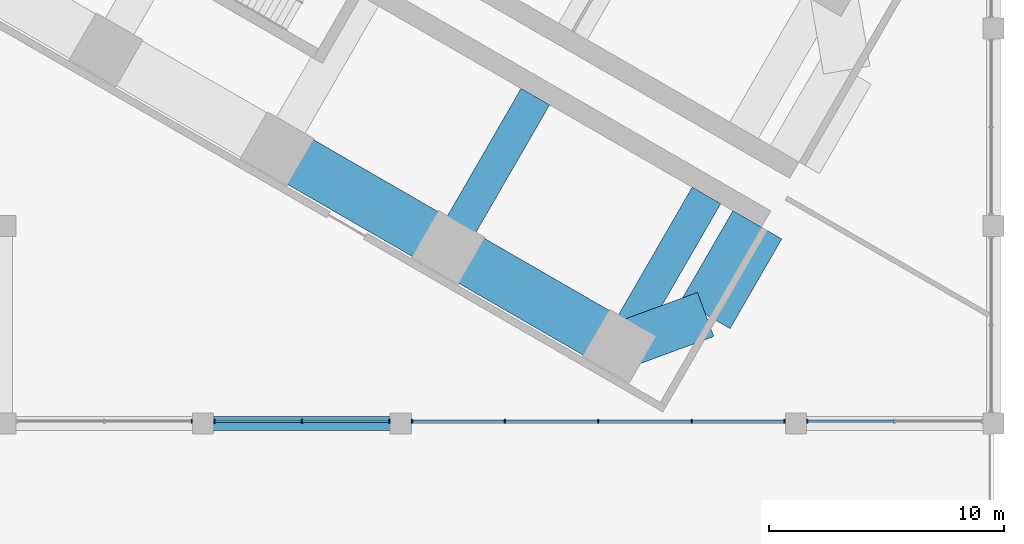
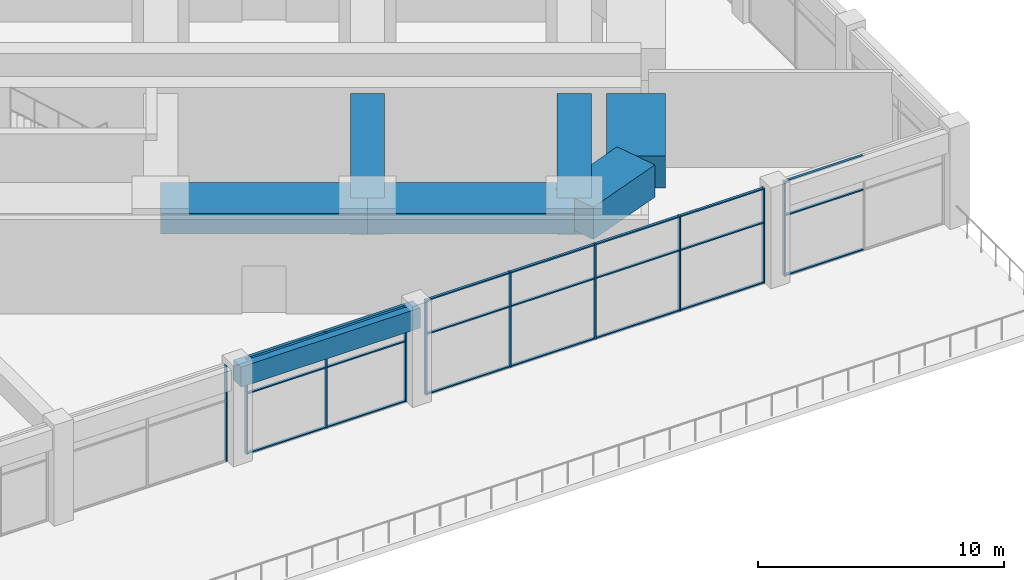
# One storey, part 11 of 36: 31 members, 7 beams, 4 elements without a shape of their own.
"""IFC4 building model written with IfcOpenShell, lengths in metres."""

from ifc_helpers import new_model, si_unit, direction, frame, origin, origin_2d, place, context, subcontext, project, spatial, rectangle, extrude, material, material_profile, profile_set, type_object, element, aggregate, save


model = new_model("IFC4")

# Units and contexts
model_context = context("Model", 3, precision=1e-05, world=origin(), true_north=direction((0.0, 1.0)))
body_context = subcontext(model_context, "Body", "Model", "MODEL_VIEW")
ifc_project = project(units=[si_unit("LENGTHUNIT", "METRE"), si_unit("AREAUNIT", "SQUARE_METRE"), si_unit("VOLUMEUNIT", "CUBIC_METRE"), si_unit("PLANEANGLEUNIT", "RADIAN"), si_unit("MASSUNIT", "GRAM", prefix="KILO")], contexts=[model_context])

# Site, building, storey
site_placement = place(None, origin())
site = spatial("IfcSite", under=ifc_project, at=site_placement, CompositionType="ELEMENT")
building_placement = place(site_placement, origin())
building = spatial("IfcBuilding", under=site, at=building_placement, Name="Impinga Residences", CompositionType="ELEMENT")
storey_placement = place(building_placement, frame((0.0, 0.0, 6.0)))
storey = spatial("IfcBuildingStorey", under=building, at=storey_placement, Name="L01", CompositionType="ELEMENT", Elevation=6.0)

# Beams
ifc_material_1 = material(Name="Concrete C60/75", Category="concrete")
ifc_material_profile_1 = material_profile(ifc_material_1, rectangle(XDim=2.0, YDim=1.60009765625, at=origin_2d()), Name="RC 2000x1600")
ifc_profile_set_1 = profile_set([ifc_material_profile_1], Name="Concrete C60/75")
beam_type_1 = type_object("IfcBeamType", Name="CB2 2000x1600 wing end cantilever beam", PredefinedType="BEAM", material=ifc_profile_set_1)
beam_1_placement = place(storey_placement, frame((34.49853515625, -30.31005859375, 3.89990234375), z_axis=(0.938520178725, 0.345224382289, 0.0), x_axis=(-0.345224382289, 0.938520178725, 0.0)))
element("IfcBeam", 1, at=beam_1_placement, inside=storey, type_object=beam_type_1, Name="Beam CB2 EE E5-EX level L02", PredefinedType="BEAM", context=body_context, shape_type="SweptSolid", body=[
    extrude(rectangle(XDim=2.0, YDim=1.60009765625, at=origin_2d()), origin(), (0.0, 0.0, 1.0), 3.905029296875),
])
ifc_material_profile_2 = material_profile(ifc_material_1, rectangle(XDim=1.39990234375, YDim=1.800048828125, at=origin_2d()), Name="RC 1400x1800")
ifc_profile_set_2 = profile_set([ifc_material_profile_2], Name="Concrete C60/75")
beam_type_2 = type_object("IfcBeamType", Name="CG4 1400x1800 cross girder on a wing bay line under the podium floors", PredefinedType="BEAM", material=ifc_profile_set_2)
for number, where, z_axis, x_axis, name in (
    (2, (30.923828125, -19.701416015625, 3.800048828125), (-0.499988999718, -0.866031754707, 0.0), (0.866031754707, -0.499988999718, 0.0), "Beam CG4 E4 EC/EF level L02"),
    (3, (38.198486328125, -23.9013671875, 3.800048828125), (-0.499988999718, -0.866031754707, 0.0), (0.866031754707, -0.499988999718, 0.0), "Beam CG4 E5 EC/EF level L02"),
):
    element("IfcBeam", number, at=place(storey_placement, frame(where, z_axis=z_axis, x_axis=x_axis)), inside=storey, type_object=beam_type_2, Name=name, PredefinedType="BEAM", context=body_context, shape_type="SweptSolid", body=[
        extrude(rectangle(XDim=1.39990234375, YDim=1.800048828125, at=origin_2d()), origin(), (0.0, 0.0, 1.0), 7.400146484375),
    ])

# Curtain wall, member
ifc_material_2 = material(Name="Aluminium stick curtain wall", Category="aluminium")
curtain_wall_type = type_object("IfcCurtainWallType", Name="CW1 podium amenity curtain wall", PredefinedType="USERDEFINED", material=ifc_material_2)
curtain_wall_1_placement = place(storey_placement, origin())
curtain_wall_1 = element("IfcCurtainWall", 4, at=curtain_wall_1_placement, inside=storey, type_object=curtain_wall_type, Name="Curtain wall CW1 L01", ObjectType="STICK CURTAIN WALL", PredefinedType="USERDEFINED")
ifc_material_3 = material(Name="Aluminium mullion", Category="aluminium")
ifc_material_profile_3 = material_profile(ifc_material_3, rectangle(XDim=0.06005859375, YDim=0.179931640625, at=origin_2d()), Name="60x180 mullion")
ifc_profile_set_3 = profile_set([ifc_material_profile_3], Name="Aluminium mullion")
member_type_1 = type_object("IfcMemberType", Name="CW1-M mullion 60x180", PredefinedType="MULLION", material=ifc_profile_set_3)
member_1_placement = place(storey_placement, frame((42.48291015625, -33.5, 0.0), z_axis=(0.0, 0.0, 1.0), x_axis=(-1.0, 0.0, 0.0)))
member_1 = element("IfcMember", 5, at=member_1_placement, type_object=member_type_1, Name="CW1 mullion 3", PredefinedType="MULLION", context=body_context, shape_type="SweptSolid", body=[
    extrude(rectangle(XDim=0.06005859375, YDim=0.179931640625, at=origin_2d()), origin(), (0.0, 0.0, 1.0), 4.699951171875),
])

# Curtain wall, members
curtain_wall_2_placement = place(storey_placement, origin())
curtain_wall_2 = element("IfcCurtainWall", 6, at=curtain_wall_2_placement, inside=storey, type_object=curtain_wall_type, Name="Curtain wall CW1 L01", ObjectType="STICK CURTAIN WALL", PredefinedType="USERDEFINED")
member_2_placement = place(storey_placement, frame((41.51708984375, -33.5, 0.0), z_axis=(0.0, 0.0, 1.0), x_axis=(-1.0, 0.0, 0.0)))
member_2 = element("IfcMember", 7, at=member_2_placement, type_object=member_type_1, Name="CW1 mullion 1", PredefinedType="MULLION", context=body_context, shape_type="SweptSolid", body=[
    extrude(rectangle(XDim=0.06005859375, YDim=0.179931640625, at=origin_2d()), origin(), (0.0, 0.0, 1.0), 4.699951171875),
])
member_3_placement = place(storey_placement, frame((37.573486328125, -33.5, 0.0), z_axis=(0.0, 0.0, 1.0), x_axis=(-1.0, 0.0, 0.0)))
member_3 = element("IfcMember", 8, at=member_3_placement, type_object=member_type_1, Name="CW1 mullion 2", PredefinedType="MULLION", context=body_context, shape_type="SweptSolid", body=[
    extrude(rectangle(XDim=0.06005859375, YDim=0.179931640625, at=origin_2d()), origin(), (0.0, 0.0, 1.0), 4.699951171875),
])
member_4_placement = place(storey_placement, frame((33.60009765625, -33.5, 0.0), z_axis=(0.0, 0.0, 1.0), x_axis=(-1.0, 0.0, 0.0)))
member_4 = element("IfcMember", 9, at=member_4_placement, type_object=member_type_1, Name="CW1 mullion 3", PredefinedType="MULLION", context=body_context, shape_type="SweptSolid", body=[
    extrude(rectangle(XDim=0.06005859375, YDim=0.179931640625, at=origin_2d()), origin(), (0.0, 0.0, 1.0), 4.699951171875),
])
member_5_placement = place(storey_placement, frame((29.62646484375, -33.5, 0.0), z_axis=(0.0, 0.0, 1.0), x_axis=(-1.0, 0.0, 0.0)))
member_5 = element("IfcMember", 10, at=member_5_placement, type_object=member_type_1, Name="CW1 mullion 4", PredefinedType="MULLION", context=body_context, shape_type="SweptSolid", body=[
    extrude(rectangle(XDim=0.06005859375, YDim=0.179931640625, at=origin_2d()), origin(), (0.0, 0.0, 1.0), 4.699951171875),
])
member_6_placement = place(storey_placement, frame((25.68310546875, -33.5, 0.0), z_axis=(0.0, 0.0, 1.0), x_axis=(-1.0, 0.0, 0.0)))
member_6 = element("IfcMember", 11, at=member_6_placement, type_object=member_type_1, Name="CW1 mullion 5", PredefinedType="MULLION", context=body_context, shape_type="SweptSolid", body=[
    extrude(rectangle(XDim=0.06005859375, YDim=0.179931640625, at=origin_2d()), origin(), (0.0, 0.0, 1.0), 4.699951171875),
])

curtain_wall_3_placement = place(storey_placement, origin())
curtain_wall_3 = element("IfcCurtainWall", 12, at=curtain_wall_3_placement, inside=storey, type_object=curtain_wall_type, Name="Curtain wall CW1 L01", ObjectType="STICK CURTAIN WALL", PredefinedType="USERDEFINED")
member_7_placement = place(storey_placement, frame((24.717041015625, -33.5, 0.0), z_axis=(0.0, 0.0, 1.0), x_axis=(-1.0, 0.0, 0.0)))
member_7 = element("IfcMember", 13, at=member_7_placement, type_object=member_type_1, Name="CW1 mullion 1", PredefinedType="MULLION", context=body_context, shape_type="SweptSolid", body=[
    extrude(rectangle(XDim=0.06005859375, YDim=0.179931640625, at=origin_2d()), origin(), (0.0, 0.0, 1.0), 4.699951171875),
])
member_8_placement = place(storey_placement, frame((21.0, -33.5, 0.0), z_axis=(0.0, 0.0, 1.0), x_axis=(-1.0, 0.0, 0.0)))
member_8 = element("IfcMember", 14, at=member_8_placement, type_object=member_type_1, Name="CW1 mullion 2", PredefinedType="MULLION", context=body_context, shape_type="SweptSolid", body=[
    extrude(rectangle(XDim=0.06005859375, YDim=0.179931640625, at=origin_2d()), origin(), (0.0, 0.0, 1.0), 4.699951171875),
])
member_9_placement = place(storey_placement, frame((17.282958984375, -33.5, 0.0), z_axis=(0.0, 0.0, 1.0), x_axis=(-1.0, 0.0, 0.0)))
member_9 = element("IfcMember", 15, at=member_9_placement, type_object=member_type_1, Name="CW1 mullion 3", PredefinedType="MULLION", context=body_context, shape_type="SweptSolid", body=[
    extrude(rectangle(XDim=0.06005859375, YDim=0.179931640625, at=origin_2d()), origin(), (0.0, 0.0, 1.0), 4.699951171875),
])

# Curtain wall, member
curtain_wall_4_placement = place(storey_placement, origin())
curtain_wall_4 = element("IfcCurtainWall", 16, at=curtain_wall_4_placement, inside=storey, type_object=curtain_wall_type, Name="Curtain wall CW1 L01", ObjectType="STICK CURTAIN WALL", PredefinedType="USERDEFINED")
member_10_placement = place(storey_placement, frame((16.31689453125, -33.5, 0.0), z_axis=(0.0, 0.0, 1.0), x_axis=(-1.0, 0.0, 0.0)))
member_10 = element("IfcMember", 17, at=member_10_placement, type_object=member_type_1, Name="CW1 mullion 1", PredefinedType="MULLION", context=body_context, shape_type="SweptSolid", body=[
    extrude(rectangle(XDim=0.06005859375, YDim=0.179931640625, at=origin_2d()), origin(), (0.0, 0.0, 1.0), 4.699951171875),
])
aggregate(curtain_wall_4, [member_10])

# Member
ifc_material_4 = material(Name="Aluminium transom", Category="aluminium")
ifc_material_profile_4 = material_profile(ifc_material_4, rectangle(XDim=0.06005859375, YDim=0.1201171875, at=origin_2d()), Name="60x120 transom")
ifc_profile_set_4 = profile_set([ifc_material_profile_4], Name="Aluminium transom")
member_type_2 = type_object("IfcMemberType", Name="CW1-T transom 60x120", PredefinedType="USERDEFINED", material=ifc_profile_set_4)
member_11_placement = place(storey_placement, frame((46.169921875, -33.5, 0.030029296875), z_axis=(-1.0, 0.0, 0.0), x_axis=(0.0, 0.0, 1.0)))
member_11 = element("IfcMember", 18, at=member_11_placement, type_object=member_type_2, Name="CW1 transom 2.1", ObjectType="TRANSOM", PredefinedType="USERDEFINED", context=body_context, shape_type="SweptSolid", body=[
    extrude(rectangle(XDim=0.06005859375, YDim=0.1201171875, at=origin_2d()), origin(), (0.0, 0.0, 1.0), 3.656982421875),
])

member_12_placement = place(storey_placement, frame((46.169921875, -33.5, 3.0), z_axis=(-1.0, 0.0, 0.0), x_axis=(0.0, 0.0, 1.0)))
member_12 = element("IfcMember", 19, at=member_12_placement, type_object=member_type_2, Name="CW1 transom 2.2", ObjectType="TRANSOM", PredefinedType="USERDEFINED", context=body_context, shape_type="SweptSolid", body=[
    extrude(rectangle(XDim=0.06005859375, YDim=0.1201171875, at=origin_2d()), origin(), (0.0, 0.0, 1.0), 3.656982421875),
])

member_13_placement = place(storey_placement, frame((46.169921875, -33.5, 4.669921875), z_axis=(-1.0, 0.0, 0.0), x_axis=(0.0, 0.0, 1.0)))
member_13 = element("IfcMember", 20, at=member_13_placement, type_object=member_type_2, Name="CW1 transom 2.3", ObjectType="TRANSOM", PredefinedType="USERDEFINED", context=body_context, shape_type="SweptSolid", body=[
    extrude(rectangle(XDim=0.06005859375, YDim=0.1201171875, at=origin_2d()), origin(), (0.0, 0.0, 1.0), 3.656982421875),
])

aggregate(curtain_wall_1, [member_1, member_11, member_12, member_13])

member_14_placement = place(storey_placement, frame((41.487060546875, -33.5, 0.030029296875), z_axis=(-1.0, 0.0, 0.0), x_axis=(0.0, 0.0, 1.0)))
member_14 = element("IfcMember", 21, at=member_14_placement, type_object=member_type_2, Name="CW1 transom 1.1", ObjectType="TRANSOM", PredefinedType="USERDEFINED", context=body_context, shape_type="SweptSolid", body=[
    extrude(rectangle(XDim=0.06005859375, YDim=0.1201171875, at=origin_2d()), origin(), (0.0, 0.0, 1.0), 3.883544921875),
])

member_15_placement = place(storey_placement, frame((41.487060546875, -33.5, 3.0), z_axis=(-1.0, 0.0, 0.0), x_axis=(0.0, 0.0, 1.0)))
member_15 = element("IfcMember", 22, at=member_15_placement, type_object=member_type_2, Name="CW1 transom 1.2", ObjectType="TRANSOM", PredefinedType="USERDEFINED", context=body_context, shape_type="SweptSolid", body=[
    extrude(rectangle(XDim=0.06005859375, YDim=0.1201171875, at=origin_2d()), origin(), (0.0, 0.0, 1.0), 3.883544921875),
])

member_16_placement = place(storey_placement, frame((41.487060546875, -33.5, 4.669921875), z_axis=(-1.0, 0.0, 0.0), x_axis=(0.0, 0.0, 1.0)))
member_16 = element("IfcMember", 23, at=member_16_placement, type_object=member_type_2, Name="CW1 transom 1.3", ObjectType="TRANSOM", PredefinedType="USERDEFINED", context=body_context, shape_type="SweptSolid", body=[
    extrude(rectangle(XDim=0.06005859375, YDim=0.1201171875, at=origin_2d()), origin(), (0.0, 0.0, 1.0), 3.883544921875),
])

member_17_placement = place(storey_placement, frame((37.54345703125, -33.5, 0.030029296875), z_axis=(-1.0, 0.0, 0.0), x_axis=(0.0, 0.0, 1.0)))
member_17 = element("IfcMember", 24, at=member_17_placement, type_object=member_type_2, Name="CW1 transom 2.1", ObjectType="TRANSOM", PredefinedType="USERDEFINED", context=body_context, shape_type="SweptSolid", body=[
    extrude(rectangle(XDim=0.06005859375, YDim=0.1201171875, at=origin_2d()), origin(), (0.0, 0.0, 1.0), 3.91357421875),
])

member_18_placement = place(storey_placement, frame((37.54345703125, -33.5, 3.0), z_axis=(-1.0, 0.0, 0.0), x_axis=(0.0, 0.0, 1.0)))
member_18 = element("IfcMember", 25, at=member_18_placement, type_object=member_type_2, Name="CW1 transom 2.2", ObjectType="TRANSOM", PredefinedType="USERDEFINED", context=body_context, shape_type="SweptSolid", body=[
    extrude(rectangle(XDim=0.06005859375, YDim=0.1201171875, at=origin_2d()), origin(), (0.0, 0.0, 1.0), 3.91357421875),
])

member_19_placement = place(storey_placement, frame((37.54345703125, -33.5, 4.669921875), z_axis=(-1.0, 0.0, 0.0), x_axis=(0.0, 0.0, 1.0)))
member_19 = element("IfcMember", 26, at=member_19_placement, type_object=member_type_2, Name="CW1 transom 2.3", ObjectType="TRANSOM", PredefinedType="USERDEFINED", context=body_context, shape_type="SweptSolid", body=[
    extrude(rectangle(XDim=0.06005859375, YDim=0.1201171875, at=origin_2d()), origin(), (0.0, 0.0, 1.0), 3.91357421875),
])

member_20_placement = place(storey_placement, frame((33.570068359375, -33.5, 0.030029296875), z_axis=(-1.0, 0.0, 0.0), x_axis=(0.0, 0.0, 1.0)))
member_20 = element("IfcMember", 27, at=member_20_placement, type_object=member_type_2, Name="CW1 transom 3.1", ObjectType="TRANSOM", PredefinedType="USERDEFINED", context=body_context, shape_type="SweptSolid", body=[
    extrude(rectangle(XDim=0.06005859375, YDim=0.1201171875, at=origin_2d()), origin(), (0.0, 0.0, 1.0), 3.91357421875),
])

member_21_placement = place(storey_placement, frame((33.570068359375, -33.5, 3.0), z_axis=(-1.0, 0.0, 0.0), x_axis=(0.0, 0.0, 1.0)))
member_21 = element("IfcMember", 28, at=member_21_placement, type_object=member_type_2, Name="CW1 transom 3.2", ObjectType="TRANSOM", PredefinedType="USERDEFINED", context=body_context, shape_type="SweptSolid", body=[
    extrude(rectangle(XDim=0.06005859375, YDim=0.1201171875, at=origin_2d()), origin(), (0.0, 0.0, 1.0), 3.91357421875),
])

member_22_placement = place(storey_placement, frame((33.570068359375, -33.5, 4.669921875), z_axis=(-1.0, 0.0, 0.0), x_axis=(0.0, 0.0, 1.0)))
member_22 = element("IfcMember", 29, at=member_22_placement, type_object=member_type_2, Name="CW1 transom 3.3", ObjectType="TRANSOM", PredefinedType="USERDEFINED", context=body_context, shape_type="SweptSolid", body=[
    extrude(rectangle(XDim=0.06005859375, YDim=0.1201171875, at=origin_2d()), origin(), (0.0, 0.0, 1.0), 3.91357421875),
])

member_23_placement = place(storey_placement, frame((29.596435546875, -33.5, 0.030029296875), z_axis=(-1.0, 0.0, 0.0), x_axis=(0.0, 0.0, 1.0)))
member_23 = element("IfcMember", 30, at=member_23_placement, type_object=member_type_2, Name="CW1 transom 4.1", ObjectType="TRANSOM", PredefinedType="USERDEFINED", context=body_context, shape_type="SweptSolid", body=[
    extrude(rectangle(XDim=0.06005859375, YDim=0.1201171875, at=origin_2d()), origin(), (0.0, 0.0, 1.0), 3.883544921875),
])

member_24_placement = place(storey_placement, frame((29.596435546875, -33.5, 3.0), z_axis=(-1.0, 0.0, 0.0), x_axis=(0.0, 0.0, 1.0)))
member_24 = element("IfcMember", 31, at=member_24_placement, type_object=member_type_2, Name="CW1 transom 4.2", ObjectType="TRANSOM", PredefinedType="USERDEFINED", context=body_context, shape_type="SweptSolid", body=[
    extrude(rectangle(XDim=0.06005859375, YDim=0.1201171875, at=origin_2d()), origin(), (0.0, 0.0, 1.0), 3.883544921875),
])

member_25_placement = place(storey_placement, frame((29.596435546875, -33.5, 4.669921875), z_axis=(-1.0, 0.0, 0.0), x_axis=(0.0, 0.0, 1.0)))
member_25 = element("IfcMember", 32, at=member_25_placement, type_object=member_type_2, Name="CW1 transom 4.3", ObjectType="TRANSOM", PredefinedType="USERDEFINED", context=body_context, shape_type="SweptSolid", body=[
    extrude(rectangle(XDim=0.06005859375, YDim=0.1201171875, at=origin_2d()), origin(), (0.0, 0.0, 1.0), 3.883544921875),
])

aggregate(curtain_wall_2, [member_2, member_3, member_4, member_5, member_6, member_14, member_15, member_16, member_17, member_18, member_19, member_20, member_21, member_22, member_23, member_24, member_25])

member_26_placement = place(storey_placement, frame((24.68701171875, -33.5, 0.030029296875), z_axis=(-1.0, 0.0, 0.0), x_axis=(0.0, 0.0, 1.0)))
member_26 = element("IfcMember", 33, at=member_26_placement, type_object=member_type_2, Name="CW1 transom 1.1", ObjectType="TRANSOM", PredefinedType="USERDEFINED", context=body_context, shape_type="SweptSolid", body=[
    extrude(rectangle(XDim=0.06005859375, YDim=0.1201171875, at=origin_2d()), origin(), (0.0, 0.0, 1.0), 3.656982421875),
])

member_27_placement = place(storey_placement, frame((24.68701171875, -33.5, 3.0), z_axis=(-1.0, 0.0, 0.0), x_axis=(0.0, 0.0, 1.0)))
member_27 = element("IfcMember", 34, at=member_27_placement, type_object=member_type_2, Name="CW1 transom 1.2", ObjectType="TRANSOM", PredefinedType="USERDEFINED", context=body_context, shape_type="SweptSolid", body=[
    extrude(rectangle(XDim=0.06005859375, YDim=0.1201171875, at=origin_2d()), origin(), (0.0, 0.0, 1.0), 3.656982421875),
])

member_28_placement = place(storey_placement, frame((24.68701171875, -33.5, 4.669921875), z_axis=(-1.0, 0.0, 0.0), x_axis=(0.0, 0.0, 1.0)))
member_28 = element("IfcMember", 35, at=member_28_placement, type_object=member_type_2, Name="CW1 transom 1.3", ObjectType="TRANSOM", PredefinedType="USERDEFINED", context=body_context, shape_type="SweptSolid", body=[
    extrude(rectangle(XDim=0.06005859375, YDim=0.1201171875, at=origin_2d()), origin(), (0.0, 0.0, 1.0), 3.656982421875),
])

member_29_placement = place(storey_placement, frame((20.969970703125, -33.5, 0.030029296875), z_axis=(-1.0, 0.0, 0.0), x_axis=(0.0, 0.0, 1.0)))
member_29 = element("IfcMember", 36, at=member_29_placement, type_object=member_type_2, Name="CW1 transom 2.1", ObjectType="TRANSOM", PredefinedType="USERDEFINED", context=body_context, shape_type="SweptSolid", body=[
    extrude(rectangle(XDim=0.06005859375, YDim=0.1201171875, at=origin_2d()), origin(), (0.0, 0.0, 1.0), 3.656982421875),
])

member_30_placement = place(storey_placement, frame((20.969970703125, -33.5, 3.0), z_axis=(-1.0, 0.0, 0.0), x_axis=(0.0, 0.0, 1.0)))
member_30 = element("IfcMember", 37, at=member_30_placement, type_object=member_type_2, Name="CW1 transom 2.2", ObjectType="TRANSOM", PredefinedType="USERDEFINED", context=body_context, shape_type="SweptSolid", body=[
    extrude(rectangle(XDim=0.06005859375, YDim=0.1201171875, at=origin_2d()), origin(), (0.0, 0.0, 1.0), 3.656982421875),
])

member_31_placement = place(storey_placement, frame((20.969970703125, -33.5, 4.669921875), z_axis=(-1.0, 0.0, 0.0), x_axis=(0.0, 0.0, 1.0)))
member_31 = element("IfcMember", 38, at=member_31_placement, type_object=member_type_2, Name="CW1 transom 2.3", ObjectType="TRANSOM", PredefinedType="USERDEFINED", context=body_context, shape_type="SweptSolid", body=[
    extrude(rectangle(XDim=0.06005859375, YDim=0.1201171875, at=origin_2d()), origin(), (0.0, 0.0, 1.0), 3.656982421875),
])

aggregate(curtain_wall_3, [member_7, member_8, member_9, member_26, member_27, member_28, member_29, member_30, member_31])

# Beams
ifc_material_profile_5 = material_profile(ifc_material_1, rectangle(XDim=2.39990234375, YDim=1.60009765625, at=origin_2d()), Name="RC 2400x1600")
ifc_profile_set_5 = profile_set([ifc_material_profile_5], Name="Concrete C60/75")
beam_type_3 = type_object("IfcBeamType", Name="EB2 2400x1600 wing end beam", PredefinedType="BEAM", material=ifc_profile_set_5)
beam_2_placement = place(storey_placement, frame((40.363525390625, -25.1513671875, 3.89990234375), z_axis=(-0.499988222896, -0.866032203192, 0.0), x_axis=(0.866032203192, -0.499988222896, 0.0)))
element("IfcBeam", 39, at=beam_2_placement, inside=storey, type_object=beam_type_3, Name="Beam EB2 EX4 level L02", PredefinedType="BEAM", context=body_context, shape_type="SweptSolid", body=[
    extrude(rectangle(XDim=2.39990234375, YDim=1.60009765625, at=origin_2d()), origin(), (0.0, 0.0, 1.0), 4.39990234375),
])
ifc_material_profile_6 = material_profile(ifc_material_1, rectangle(XDim=0.60009765625, YDim=1.0, at=origin_2d()), Name="RC 600x1000")
ifc_profile_set_6 = profile_set([ifc_material_profile_6], Name="Concrete C60/75")
beam_type_4 = type_object("IfcBeamType", Name="PB2 600x1000 podium beam", PredefinedType="BEAM", material=ifc_profile_set_6)
beam_3_placement = place(storey_placement, frame((16.800048828125, -33.60009765625, 4.199951171875), z_axis=(1.0, 0.0, 0.0), x_axis=(0.0, 1.0, 0.0)))
element("IfcBeam", 40, at=beam_3_placement, inside=storey, type_object=beam_type_4, Name="Beam PB2 B/9-10 level L02", PredefinedType="BEAM", context=body_context, shape_type="SweptSolid", body=[
    extrude(rectangle(XDim=0.60009765625, YDim=1.0, at=origin_2d()), origin(), (0.0, 0.0, 1.0), 8.39990234375),
])
ifc_material_profile_7 = material_profile(ifc_material_1, rectangle(XDim=2.199951171875, YDim=1.0, at=origin_2d()), Name="RC 2200x1000")
ifc_profile_set_7 = profile_set([ifc_material_profile_7], Name="Concrete C60/75")
beam_type_5 = type_object("IfcBeamType", Name="PB3 2200x1000 podium band beam", PredefinedType="BEAM", material=ifc_profile_set_7)
beam_4_placement = place(storey_placement, frame((19.94921875, -21.909912109375, 4.199951171875), z_axis=(0.866016669275, -0.500015128309, 0.0), x_axis=(0.500015128309, 0.866016669275, 0.0)))
element("IfcBeam", 41, at=beam_4_placement, inside=storey, type_object=beam_type_5, Name="Beam PB3 EF E3-E4 level L02", PredefinedType="BEAM", context=body_context, shape_type="SweptSolid", body=[
    extrude(rectangle(XDim=2.199951171875, YDim=1.0, at=origin_2d()), origin(), (0.0, 0.0, 1.0), 8.400146484375),
])
beam_5_placement = place(storey_placement, frame((27.223876953125, -26.110107421875, 4.199951171875), z_axis=(0.86602925447, -0.499993330357, 0.0), x_axis=(0.499993330357, 0.86602925447, 0.0)))
element("IfcBeam", 42, at=beam_5_placement, inside=storey, type_object=beam_type_5, Name="Beam PB3 EF E4-E5 level L02", PredefinedType="BEAM", context=body_context, shape_type="SweptSolid", body=[
    extrude(rectangle(XDim=2.199951171875, YDim=1.0, at=origin_2d()), origin(), (0.0, 0.0, 1.0), 8.39990234375),
])

save(model, "model.ifc")
